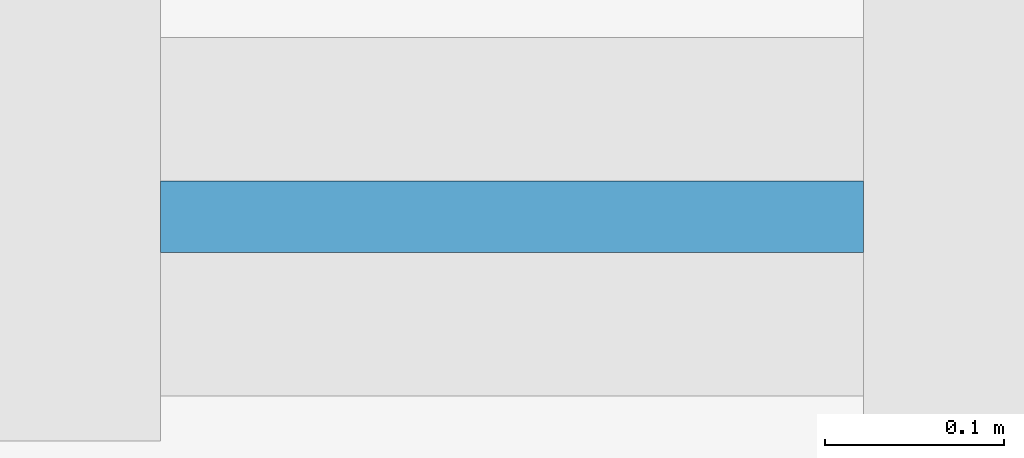
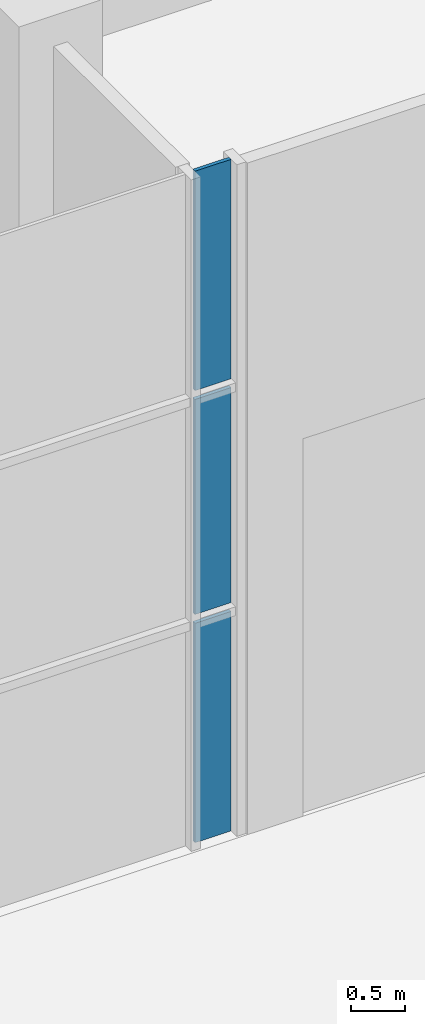
# One storey, part 11 of 29: 3 plates, 1 element without a shape of its own.
"""IFC4 building model written with IfcOpenShell, lengths in metres."""

from ifc_helpers import new_model, si_unit, direction, frame, origin, origin_2d, place, context, subcontext, project, spatial, rectangle, extrude, material, layer, layer_set, type_object, element, aggregate, save


model = new_model("IFC4")

# Units and contexts
model_context = context("Model", 3, precision=1e-05, world=origin(), true_north=direction((0.0, 1.0)))
body_context = subcontext(model_context, "Body", "Model", "MODEL_VIEW")
ifc_project = project(units=[si_unit("LENGTHUNIT", "METRE"), si_unit("AREAUNIT", "SQUARE_METRE"), si_unit("VOLUMEUNIT", "CUBIC_METRE"), si_unit("PLANEANGLEUNIT", "RADIAN"), si_unit("MASSUNIT", "GRAM", prefix="KILO")], contexts=[model_context])

# Site, building, storey
site_placement = place(None, origin())
site = spatial("IfcSite", under=ifc_project, at=site_placement, CompositionType="ELEMENT")
building_placement = place(site_placement, origin())
building = spatial("IfcBuilding", under=site, at=building_placement, Name="Finial Court Residences", CompositionType="ELEMENT")
storey_placement = place(building_placement, origin())
storey = spatial("IfcBuildingStorey", under=building, at=storey_placement, Name="L00", CompositionType="ELEMENT", Elevation=0.0)

# Curtain wall, plates
ifc_material_1 = material(Name="Bronze anodised aluminium", Category="aluminium")
curtain_wall_type = type_object("IfcCurtainWallType", Name="Podium shopfront", PredefinedType="NOTDEFINED", material=ifc_material_1)
curtain_wall_placement = place(storey_placement, origin())
curtain_wall = element("IfcCurtainWall", 1, at=curtain_wall_placement, inside=storey, type_object=curtain_wall_type, Name="E-L00-CW-S22", PredefinedType="NOTDEFINED")
ifc_material_2 = material(Name="Clear low-e glass", Category="glass")
ifc_layer = layer(ifc_material_2, 0.0400390625)
ifc_layer_set = layer_set([ifc_layer], Name="CW4 vision glass 40")
plate_type = type_object("IfcPlateType", Name="CW4 vision glass 40", PredefinedType="CURTAIN_PANEL", material=ifc_layer_set)
plate_1_placement = place(storey_placement, frame((22.745849609375, -34.35009765625, 0.0), z_axis=(0.0, 0.0, 1.0), x_axis=(1.0, 0.0, 0.0)))
plate_1 = element("IfcPlate", 2, at=plate_1_placement, type_object=plate_type, Name="CW4 glass 3.1", PredefinedType="CURTAIN_PANEL", context=body_context, shape_type="SweptSolid", body=[
    extrude(rectangle(XDim=0.3916015625, YDim=0.0400390625, at=origin_2d()), origin(), (0.0, 0.0, 1.0), 2.5),
])
plate_2_placement = place(storey_placement, frame((22.745849609375, -34.35009765625, 2.60009765625), z_axis=(0.0, 0.0, 1.0), x_axis=(1.0, 0.0, 0.0)))
plate_2 = element("IfcPlate", 3, at=plate_2_placement, type_object=plate_type, Name="CW4 glass 3.2", PredefinedType="CURTAIN_PANEL", context=body_context, shape_type="SweptSolid", body=[
    extrude(rectangle(XDim=0.3916015625, YDim=0.0400390625, at=origin_2d()), origin(), (0.0, 0.0, 1.0), 2.449951171875),
])
plate_3_placement = place(storey_placement, frame((22.745849609375, -34.35009765625, 5.14990234375), z_axis=(0.0, 0.0, 1.0), x_axis=(1.0, 0.0, 0.0)))
plate_3 = element("IfcPlate", 4, at=plate_3_placement, type_object=plate_type, Name="CW4 glass 3.3", PredefinedType="CURTAIN_PANEL", context=body_context, shape_type="SweptSolid", body=[
    extrude(rectangle(XDim=0.3916015625, YDim=0.0400390625, at=origin_2d()), origin(), (0.0, 0.0, 1.0), 2.5),
])
aggregate(curtain_wall, [plate_1, plate_2, plate_3])

save(model, "model.ifc")
